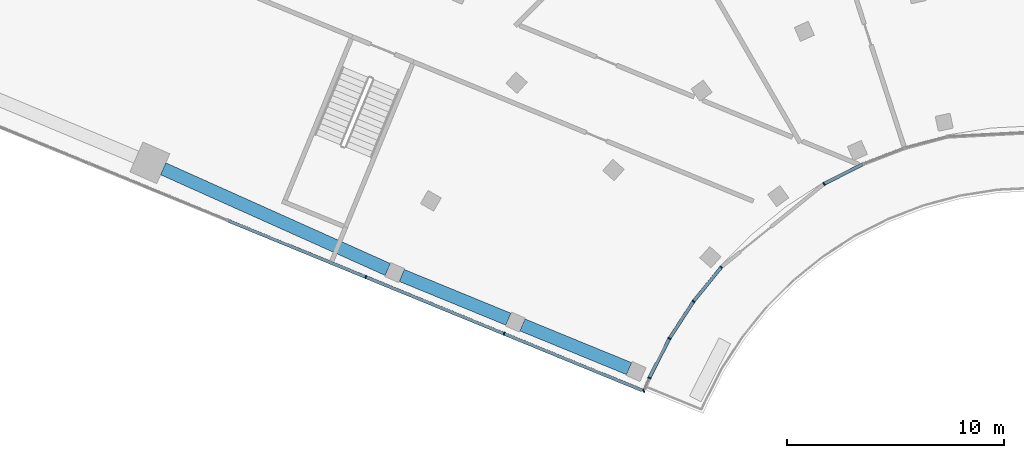
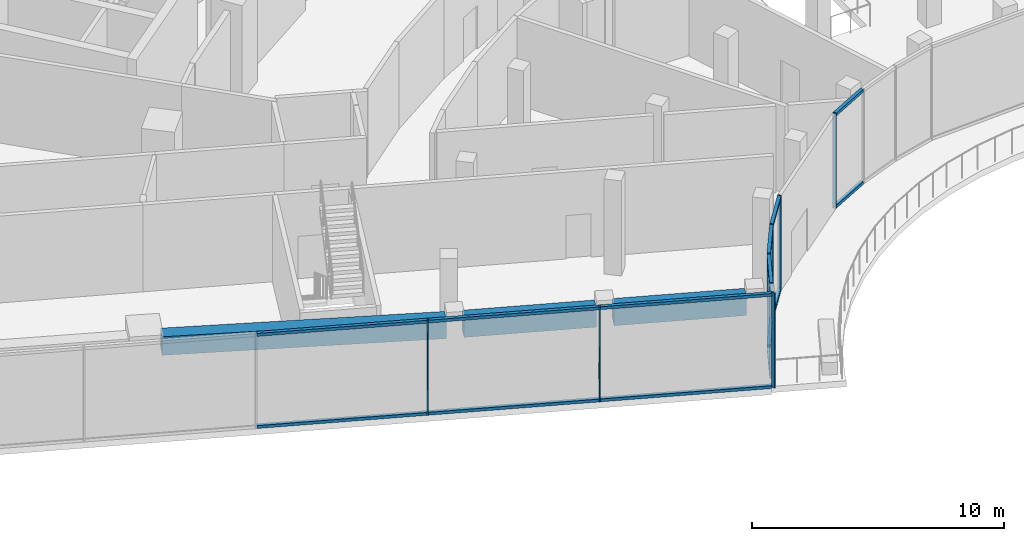
# One storey, part 4 of 40: 22 members, 3 beams, 2 elements without a shape of their own.
"""IFC4 building model written with IfcOpenShell, lengths in metres."""

from ifc_helpers import new_model, si_unit, direction, frame, origin, origin_2d, place, context, subcontext, project, spatial, rectangle, extrude, material, layer, layer_set, material_profile, profile_set, type_object, element, aggregate, save


model = new_model("IFC4")

# Units and contexts
model_context = context("Model", 3, precision=1e-05, world=origin(), true_north=direction((0.0, 1.0)))
body_context = subcontext(model_context, "Body", "Model", "MODEL_VIEW")
ifc_project = project(units=[si_unit("LENGTHUNIT", "METRE"), si_unit("AREAUNIT", "SQUARE_METRE"), si_unit("VOLUMEUNIT", "CUBIC_METRE"), si_unit("PLANEANGLEUNIT", "RADIAN"), si_unit("MASSUNIT", "GRAM", prefix="KILO")], contexts=[model_context])

# Site, building, storey
site_placement = place(None, origin())
site = spatial("IfcSite", under=ifc_project, at=site_placement, CompositionType="ELEMENT")
building_placement = place(site_placement, origin())
building = spatial("IfcBuilding", under=site, at=building_placement, Name="Stone Belt Terrace Tower", CompositionType="ELEMENT")
storey_placement = place(building_placement, frame((0.0, 0.0, 7.0)))
storey = spatial("IfcBuildingStorey", under=building, at=storey_placement, Name="L01", CompositionType="ELEMENT", Elevation=7.0)

# Curtain wall, members
ifc_material_1 = material(Name="Aluminium 6063-T6 anodised frame", Category="aluminium")
ifc_layer = layer(ifc_material_1, 0.14990234375)
ifc_layer_set = layer_set([ifc_layer], Name="CW-D podium shopfront")
curtain_wall_type = type_object("IfcCurtainWallType", Name="CW-D podium shopfront", PredefinedType="NOTDEFINED", material=ifc_layer_set)
curtain_wall_1_placement = place(storey_placement, origin())
curtain_wall_1 = element("IfcCurtainWall", 1, at=curtain_wall_1_placement, inside=storey, type_object=curtain_wall_type, Name="CW-D concave face L01", PredefinedType="NOTDEFINED")
ifc_material_profile_1 = material_profile(ifc_material_1, rectangle(XDim=0.14990234375, YDim=0.06005859375, at=origin_2d()), Name="Aluminium 6063-T6 60x150")
ifc_profile_set_1 = profile_set([ifc_material_profile_1], Name="Aluminium 6063-T6 anodised frame")
member_type_1 = type_object("IfcMemberType", Name="CW-D mullion 60 x 150", PredefinedType="MULLION", material=ifc_profile_set_1)
member_1_placement = place(storey_placement, frame((-18.00341796875, 7.2978515625, 0.0), z_axis=(0.0, 0.0, 1.0), x_axis=(-0.379212239192, 0.925309719849, 0.0)))
member_1 = element("IfcMember", 2, at=member_1_placement, type_object=member_type_1, Name="CW-D mullion 1", PredefinedType="MULLION", context=body_context, shape_type="SweptSolid", body=[
    extrude(rectangle(XDim=0.14990234375, YDim=0.06005859375, at=origin_2d()), origin(), (0.0, 0.0, 1.0), 4.60009765625),
])
member_2_placement = place(storey_placement, frame((-17.74609375, 7.899658203125, 0.0), z_axis=(0.0, 0.0, 1.0), x_axis=(-0.905778201442, 0.423752108895, 0.0)))
member_2 = element("IfcMember", 3, at=member_2_placement, type_object=member_type_1, Name="CW-D mullion 2", PredefinedType="MULLION", context=body_context, shape_type="SweptSolid", body=[
    extrude(rectangle(XDim=0.14990234375, YDim=0.06005859375, at=origin_2d()), origin(), (0.0, 0.0, 1.0), 4.60009765625),
])
member_3_placement = place(storey_placement, frame((-16.822509765625, 9.71240234375, 0.0), z_axis=(0.0, 0.0, 1.0), x_axis=(-0.866025403784, 0.5, 0.0)))
member_3 = element("IfcMember", 4, at=member_3_placement, type_object=member_type_1, Name="CW-D mullion 3", PredefinedType="MULLION", context=body_context, shape_type="SweptSolid", body=[
    extrude(rectangle(XDim=0.14990234375, YDim=0.06005859375, at=origin_2d()), origin(), (0.0, 0.0, 1.0), 4.60009765625),
])
member_4_placement = place(storey_placement, frame((-15.715087890625, 11.417724609375, 0.0), z_axis=(0.0, 0.0, 1.0), x_axis=(-0.809016994375, 0.587785252292, 0.0)))
member_4 = element("IfcMember", 5, at=member_4_placement, type_object=member_type_1, Name="CW-D mullion 4", PredefinedType="MULLION", context=body_context, shape_type="SweptSolid", body=[
    extrude(rectangle(XDim=0.14990234375, YDim=0.06005859375, at=origin_2d()), origin(), (0.0, 0.0, 1.0), 4.60009765625),
])
member_5_placement = place(storey_placement, frame((-14.43798828125, 12.99462890625, 0.0), z_axis=(0.0, 0.0, 1.0), x_axis=(-0.707106781187, 0.707106781187, 0.0)))
member_5 = element("IfcMember", 6, at=member_5_placement, type_object=member_type_1, Name="CW-D mullion 5", PredefinedType="MULLION", context=body_context, shape_type="SweptSolid", body=[
    extrude(rectangle(XDim=0.14990234375, YDim=0.06005859375, at=origin_2d()), origin(), (0.0, 0.0, 1.0), 4.60009765625),
])
member_6_placement = place(storey_placement, frame((-9.708984375, 16.82421875, 0.0), z_axis=(0.0, 0.0, 1.0), x_axis=(-0.544639035015, 0.838670567945, 0.0)))
member_6 = element("IfcMember", 7, at=member_6_placement, type_object=member_type_1, Name="CW-D mullion 6", PredefinedType="MULLION", context=body_context, shape_type="SweptSolid", body=[
    extrude(rectangle(XDim=0.14990234375, YDim=0.06005859375, at=origin_2d()), origin(), (0.0, 0.0, 1.0), 4.60009765625),
])

curtain_wall_2_placement = place(storey_placement, origin())
curtain_wall_2 = element("IfcCurtainWall", 8, at=curtain_wall_2_placement, inside=storey, type_object=curtain_wall_type, Name="CW-D end face L01", PredefinedType="NOTDEFINED")
member_7_placement = place(storey_placement, frame((-30.794677734375, 12.54052734375, 0.0), z_axis=(0.0, 0.0, 1.0), x_axis=(0.379243093825, 0.925297074342, 0.0)))
member_7 = element("IfcMember", 9, at=member_7_placement, type_object=member_type_1, Name="CW-D mullion 7", PredefinedType="MULLION", context=body_context, shape_type="SweptSolid", body=[
    extrude(rectangle(XDim=0.14990234375, YDim=0.06005859375, at=origin_2d()), origin(), (0.0, 0.0, 1.0), 4.60009765625),
])
member_8_placement = place(storey_placement, frame((-24.43310546875, 9.93310546875, 0.0), z_axis=(0.0, 0.0, 1.0), x_axis=(0.379243093825, 0.925297074342, 0.0)))
member_8 = element("IfcMember", 10, at=member_8_placement, type_object=member_type_1, Name="CW-D mullion 8", PredefinedType="MULLION", context=body_context, shape_type="SweptSolid", body=[
    extrude(rectangle(XDim=0.14990234375, YDim=0.06005859375, at=origin_2d()), origin(), (0.0, 0.0, 1.0), 4.60009765625),
])

# Member
ifc_material_profile_2 = material_profile(ifc_material_1, rectangle(XDim=0.14990234375, YDim=0.139892578125, at=origin_2d()), Name="Aluminium 6063-T6 150x140")
ifc_profile_set_2 = profile_set([ifc_material_profile_2], Name="Aluminium 6063-T6 anodised frame")
member_type_2 = type_object("IfcMemberType", Name="CW-D transom 140 x 150", PredefinedType="USERDEFINED", material=ifc_profile_set_2)
member_9_placement = place(storey_placement, frame((-17.7314453125, 7.928466796875, 0.070068359375), z_axis=(0.453948077145, 0.891028138308, 0.0), x_axis=(-0.891028138308, 0.453948077145, 0.0)))
member_9 = element("IfcMember", 11, at=member_9_placement, type_object=member_type_2, Name="CW-D transom 2.1", ObjectType="TRANSOM", PredefinedType="USERDEFINED", context=body_context, shape_type="SweptSolid", body=[
    extrude(rectangle(XDim=0.14990234375, YDim=0.139892578125, at=origin_2d()), origin(), (0.0, 0.0, 1.0), 1.968505859375),
])

member_10_placement = place(storey_placement, frame((-17.7314453125, 7.928466796875, 4.530029296875), z_axis=(0.453948077145, 0.891028138308, 0.0), x_axis=(-0.891028138308, 0.453948077145, 0.0)))
member_10 = element("IfcMember", 12, at=member_10_placement, type_object=member_type_2, Name="CW-D transom 2.2", ObjectType="TRANSOM", PredefinedType="USERDEFINED", context=body_context, shape_type="SweptSolid", body=[
    extrude(rectangle(XDim=0.14990234375, YDim=0.139892578125, at=origin_2d()), origin(), (0.0, 0.0, 1.0), 1.968505859375),
])

member_11_placement = place(storey_placement, frame((-16.803955078125, 9.740966796875, 0.070068359375), z_axis=(0.544625870177, 0.838679117145, 0.0), x_axis=(-0.838679117145, 0.544625870177, 0.0)))
member_11 = element("IfcMember", 13, at=member_11_placement, type_object=member_type_2, Name="CW-D transom 3.1", ObjectType="TRANSOM", PredefinedType="USERDEFINED", context=body_context, shape_type="SweptSolid", body=[
    extrude(rectangle(XDim=0.14990234375, YDim=0.139892578125, at=origin_2d()), origin(), (0.0, 0.0, 1.0), 1.96533203125),
])

member_12_placement = place(storey_placement, frame((-16.803955078125, 9.740966796875, 4.530029296875), z_axis=(0.544625870177, 0.838679117145, 0.0), x_axis=(-0.838679117145, 0.544625870177, 0.0)))
member_12 = element("IfcMember", 14, at=member_12_placement, type_object=member_type_2, Name="CW-D transom 3.2", ObjectType="TRANSOM", PredefinedType="USERDEFINED", context=body_context, shape_type="SweptSolid", body=[
    extrude(rectangle(XDim=0.14990234375, YDim=0.139892578125, at=origin_2d()), origin(), (0.0, 0.0, 1.0), 1.96533203125),
])

member_13_placement = place(storey_placement, frame((-15.69384765625, 11.444091796875, 0.070068359375), z_axis=(0.62941345813, 0.777070587994, 0.0), x_axis=(-0.777070587994, 0.62941345813, 0.0)))
member_13 = element("IfcMember", 15, at=member_13_placement, type_object=member_type_2, Name="CW-D transom 4.1", ObjectType="TRANSOM", PredefinedType="USERDEFINED", context=body_context, shape_type="SweptSolid", body=[
    extrude(rectangle(XDim=0.14990234375, YDim=0.139892578125, at=origin_2d()), origin(), (0.0, 0.0, 1.0), 1.957763671875),
])

member_14_placement = place(storey_placement, frame((-15.69384765625, 11.444091796875, 4.530029296875), z_axis=(0.62941345813, 0.777070587994, 0.0), x_axis=(-0.777070587994, 0.62941345813, 0.0)))
member_14 = element("IfcMember", 16, at=member_14_placement, type_object=member_type_2, Name="CW-D transom 4.2", ObjectType="TRANSOM", PredefinedType="USERDEFINED", context=body_context, shape_type="SweptSolid", body=[
    extrude(rectangle(XDim=0.14990234375, YDim=0.139892578125, at=origin_2d()), origin(), (0.0, 0.0, 1.0), 1.957763671875),
])

member_15_placement = place(storey_placement, frame((-9.67529296875, 16.84130859375, 0.070068359375), z_axis=(0.890984295017, 0.454034124305, 0.0), x_axis=(-0.454034124305, 0.890984295017, 0.0)))
member_15 = element("IfcMember", 17, at=member_15_placement, type_object=member_type_2, Name="CW-D transom 6.1", ObjectType="TRANSOM", PredefinedType="USERDEFINED", context=body_context, shape_type="SweptSolid", body=[
    extrude(rectangle(XDim=0.14990234375, YDim=0.139892578125, at=origin_2d()), origin(), (0.0, 0.0, 1.0), 1.957763671875),
])

member_16_placement = place(storey_placement, frame((-9.67529296875, 16.84130859375, 4.530029296875), z_axis=(0.890984295017, 0.454034124305, 0.0), x_axis=(-0.454034124305, 0.890984295017, 0.0)))
member_16 = element("IfcMember", 18, at=member_16_placement, type_object=member_type_2, Name="CW-D transom 6.2", ObjectType="TRANSOM", PredefinedType="USERDEFINED", context=body_context, shape_type="SweptSolid", body=[
    extrude(rectangle(XDim=0.14990234375, YDim=0.139892578125, at=origin_2d()), origin(), (0.0, 0.0, 1.0), 1.957763671875),
])

aggregate(curtain_wall_1, [member_1, member_2, member_3, member_4, member_5, member_6, member_9, member_10, member_11, member_12, member_13, member_14, member_15, member_16])

member_17_placement = place(storey_placement, frame((-37.128173828125, 15.136474609375, 0.070068359375), z_axis=(0.925288239809, -0.379264648064, 0.0), x_axis=(0.379264648064, 0.925288239809, 0.0)))
member_17 = element("IfcMember", 19, at=member_17_placement, type_object=member_type_2, Name="CW-D transom 6.1", ObjectType="TRANSOM", PredefinedType="USERDEFINED", context=body_context, shape_type="SweptSolid", body=[
    extrude(rectangle(XDim=0.14990234375, YDim=0.139892578125, at=origin_2d()), origin(), (0.0, 0.0, 1.0), 6.815185546875),
])

member_18_placement = place(storey_placement, frame((-37.128173828125, 15.136474609375, 4.530029296875), z_axis=(0.925288239809, -0.379264648064, 0.0), x_axis=(0.379264648064, 0.925288239809, 0.0)))
member_18 = element("IfcMember", 20, at=member_18_placement, type_object=member_type_2, Name="CW-D transom 6.2", ObjectType="TRANSOM", PredefinedType="USERDEFINED", context=body_context, shape_type="SweptSolid", body=[
    extrude(rectangle(XDim=0.14990234375, YDim=0.139892578125, at=origin_2d()), origin(), (0.0, 0.0, 1.0), 6.815185546875),
])

member_19_placement = place(storey_placement, frame((-30.766845703125, 12.529052734375, 0.070068359375), z_axis=(0.925300811022, -0.37923397675, 0.0), x_axis=(0.37923397675, 0.925300811022, 0.0)))
member_19 = element("IfcMember", 21, at=member_19_placement, type_object=member_type_2, Name="CW-D transom 7.1", ObjectType="TRANSOM", PredefinedType="USERDEFINED", context=body_context, shape_type="SweptSolid", body=[
    extrude(rectangle(XDim=0.14990234375, YDim=0.139892578125, at=origin_2d()), origin(), (0.0, 0.0, 1.0), 6.81494140625),
])

member_20_placement = place(storey_placement, frame((-30.766845703125, 12.529052734375, 4.530029296875), z_axis=(0.925300811022, -0.37923397675, 0.0), x_axis=(0.37923397675, 0.925300811022, 0.0)))
member_20 = element("IfcMember", 22, at=member_20_placement, type_object=member_type_2, Name="CW-D transom 7.2", ObjectType="TRANSOM", PredefinedType="USERDEFINED", context=body_context, shape_type="SweptSolid", body=[
    extrude(rectangle(XDim=0.14990234375, YDim=0.139892578125, at=origin_2d()), origin(), (0.0, 0.0, 1.0), 6.81494140625),
])

member_21_placement = place(storey_placement, frame((-24.4052734375, 9.921875, 0.070068359375), z_axis=(0.92529221206, -0.379254956859, 0.0), x_axis=(0.379254956859, 0.92529221206, 0.0)))
member_21 = element("IfcMember", 23, at=member_21_placement, type_object=member_type_2, Name="CW-D transom 8.1", ObjectType="TRANSOM", PredefinedType="USERDEFINED", context=body_context, shape_type="SweptSolid", body=[
    extrude(rectangle(XDim=0.14990234375, YDim=0.139892578125, at=origin_2d()), origin(), (0.0, 0.0, 1.0), 6.844970703125),
])

member_22_placement = place(storey_placement, frame((-24.4052734375, 9.921875, 4.530029296875), z_axis=(0.92529221206, -0.379254956859, 0.0), x_axis=(0.379254956859, 0.92529221206, 0.0)))
member_22 = element("IfcMember", 24, at=member_22_placement, type_object=member_type_2, Name="CW-D transom 8.2", ObjectType="TRANSOM", PredefinedType="USERDEFINED", context=body_context, shape_type="SweptSolid", body=[
    extrude(rectangle(XDim=0.14990234375, YDim=0.139892578125, at=origin_2d()), origin(), (0.0, 0.0, 1.0), 6.844970703125),
])

aggregate(curtain_wall_2, [member_7, member_8, member_17, member_18, member_19, member_20, member_21, member_22])

# Beams
ifc_material_2 = material(Name="Concrete B60", Category="concrete")
ifc_material_profile_3 = material_profile(ifc_material_2, rectangle(XDim=0.60009765625, YDim=0.89990234375, at=origin_2d()), Name="RC 600x900")
ifc_profile_set_3 = profile_set([ifc_material_profile_3], Name="Concrete B60")
beam_type = type_object("IfcBeamType", Name="Edge beam RC 600x900 B60", PredefinedType="SPANDREL", material=ifc_profile_set_3)
beam_1_placement = place(storey_placement, frame((-18.678466796875, 8.32568359375, 3.75), z_axis=(-0.925315733574, 0.379197564866, 0.0), x_axis=(-0.379197564866, -0.925315733574, 0.0)))
element("IfcBeam", 25, at=beam_1_placement, inside=storey, type_object=beam_type, Name="Edge beam L01 A M to N", PredefinedType="SPANDREL", context=body_context, shape_type="SweptSolid", body=[
    extrude(rectangle(XDim=0.60009765625, YDim=0.89990234375, at=origin_2d()), origin(), (0.0, 0.0, 1.0), 5.302001953125),
])
beam_2_placement = place(storey_placement, frame((-24.232421875, 10.601806640625, 3.75), z_axis=(-0.925289242227, 0.379262202466, 0.0), x_axis=(-0.379262202466, -0.925289242227, 0.0)))
element("IfcBeam", 26, at=beam_2_placement, inside=storey, type_object=beam_type, Name="Edge beam L01 A N to O", PredefinedType="SPANDREL", context=body_context, shape_type="SweptSolid", body=[
    extrude(rectangle(XDim=0.60009765625, YDim=0.89990234375, at=origin_2d()), origin(), (0.0, 0.0, 1.0), 5.301025390625),
])
beam_3_placement = place(storey_placement, frame((-29.78076171875, 12.88818359375, 3.75), z_axis=(-0.91252459094, 0.409021846519, 0.0), x_axis=(-0.409021846519, -0.91252459094, 0.0)))
element("IfcBeam", 27, at=beam_3_placement, inside=storey, type_object=beam_type, Name="Edge beam L01 A O to P", PredefinedType="SPANDREL", context=body_context, shape_type="SweptSolid", body=[
    extrude(rectangle(XDim=0.60009765625, YDim=0.89990234375, at=origin_2d()), origin(), (0.0, 0.0, 1.0), 11.320556640625),
])

save(model, "model.ifc")
